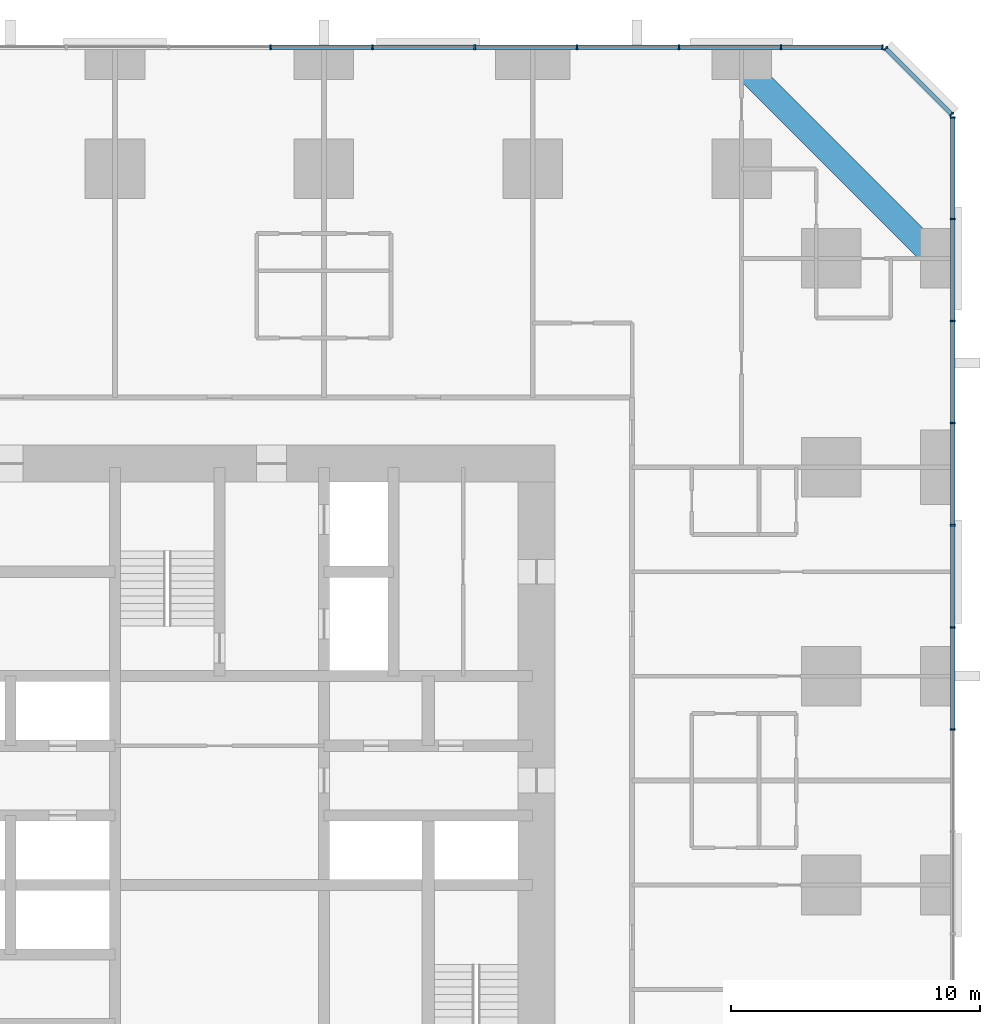
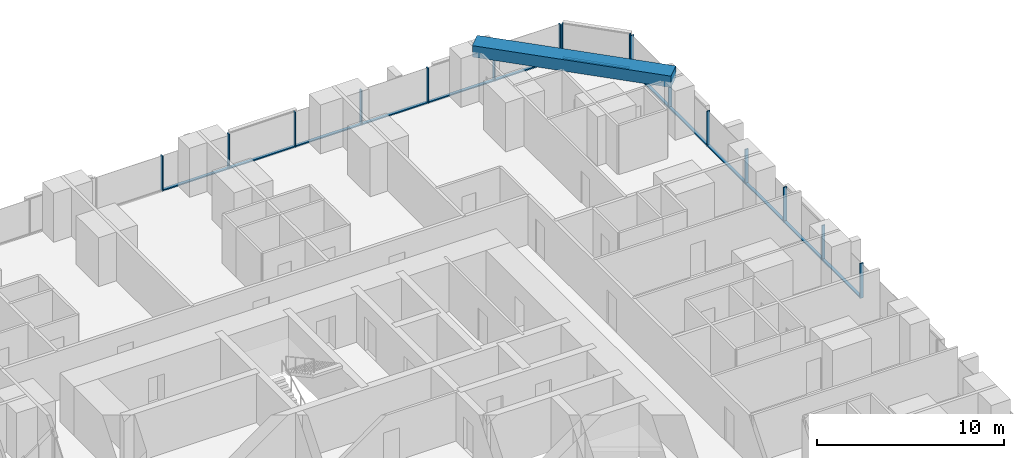
# One storey, part 7 of 16: 29 members, 1 beam, 3 elements without a shape of their own.
"""IFC4 building model written with IfcOpenShell, lengths in metres."""

from ifc_helpers import new_model, si_unit, direction, frame, origin, origin_2d, place, context, subcontext, project, spatial, rectangle, extrude, material, material_profile, profile_set, type_object, element, aggregate, save


model = new_model("IFC4")

# Units and contexts
model_context = context("Model", 3, precision=1e-05, world=origin(), true_north=direction((0.0, 1.0)))
body_context = subcontext(model_context, "Body", "Model", "MODEL_VIEW")
ifc_project = project(units=[si_unit("LENGTHUNIT", "METRE"), si_unit("AREAUNIT", "SQUARE_METRE"), si_unit("VOLUMEUNIT", "CUBIC_METRE"), si_unit("PLANEANGLEUNIT", "RADIAN"), si_unit("MASSUNIT", "GRAM", prefix="KILO")], contexts=[model_context])

# Site, building, storey
site_placement = place(None, origin())
site = spatial("IfcSite", under=ifc_project, at=site_placement, CompositionType="ELEMENT")
building_placement = place(site_placement, origin())
building = spatial("IfcBuilding", under=site, at=building_placement, Name="Dunama Terrace Hotel", CompositionType="ELEMENT")
storey_placement = place(building_placement, frame((0.0, 0.0, 84.60009765625)))
storey = spatial("IfcBuildingStorey", under=building, at=storey_placement, Name="L21", CompositionType="ELEMENT", Elevation=84.60009765625)

# Curtain wall, members
ifc_material_1 = material(Name="Aluminium curtain wall system", Category="aluminium")
curtain_wall_type = type_object("IfcCurtainWallType", Name="Unitised fritted glass wall CW-A", PredefinedType="NOTDEFINED", material=ifc_material_1)
curtain_wall_1_placement = place(storey_placement, origin())
curtain_wall_1 = element("IfcCurtainWall", 1, at=curtain_wall_1_placement, inside=storey, type_object=curtain_wall_type, Name="Unitised fritted glass wall CW-A L21", PredefinedType="NOTDEFINED")
ifc_material_2 = material(Name="Aluminium mullion", Category="aluminium")
ifc_material_profile_1 = material_profile(ifc_material_2, rectangle(XDim=0.06494140625, YDim=0.199951171875, at=origin_2d()), Name="CWA MULLION 65X200")
ifc_profile_set_1 = profile_set([ifc_material_profile_1], Name="Aluminium mullion")
member_type_1 = type_object("IfcMemberType", Name="CWA mullion 65x200", PredefinedType="MULLION", material=ifc_profile_set_1)
member_1_placement = place(storey_placement, frame((58.89990234375, 31.4541015625, 0.0), z_axis=(0.0, 0.0, 1.0), x_axis=(0.0, 1.0, 0.0)))
member_1 = element("IfcMember", 2, at=member_1_placement, type_object=member_type_1, Name="CWA mullion", PredefinedType="MULLION", context=body_context, shape_type="SweptSolid", body=[
    extrude(rectangle(XDim=0.06494140625, YDim=0.199951171875, at=origin_2d()), origin(), (0.0, 0.0, 1.0), 2.27880859375),
])
member_2_placement = place(storey_placement, frame((58.89990234375, 35.56201171875, 0.0), z_axis=(0.0, 0.0, 1.0), x_axis=(0.0, 1.0, 0.0)))
member_2 = element("IfcMember", 3, at=member_2_placement, type_object=member_type_1, Name="CWA mullion", PredefinedType="MULLION", context=body_context, shape_type="SweptSolid", body=[
    extrude(rectangle(XDim=0.06494140625, YDim=0.199951171875, at=origin_2d()), origin(), (0.0, 0.0, 1.0), 2.27880859375),
])
member_3_placement = place(storey_placement, frame((58.89990234375, 39.6689453125, 0.0), z_axis=(0.0, 0.0, 1.0), x_axis=(0.0, 1.0, 0.0)))
member_3 = element("IfcMember", 4, at=member_3_placement, type_object=member_type_1, Name="CWA mullion", PredefinedType="MULLION", context=body_context, shape_type="SweptSolid", body=[
    extrude(rectangle(XDim=0.06494140625, YDim=0.199951171875, at=origin_2d()), origin(), (0.0, 0.0, 1.0), 2.27880859375),
])
member_4_placement = place(storey_placement, frame((58.89990234375, 43.777099609375, 0.0), z_axis=(0.0, 0.0, 1.0), x_axis=(0.0, 1.0, 0.0)))
member_4 = element("IfcMember", 5, at=member_4_placement, type_object=member_type_1, Name="CWA mullion", PredefinedType="MULLION", context=body_context, shape_type="SweptSolid", body=[
    extrude(rectangle(XDim=0.06494140625, YDim=0.199951171875, at=origin_2d()), origin(), (0.0, 0.0, 1.0), 2.27880859375),
])
member_5_placement = place(storey_placement, frame((58.89990234375, 47.885009765625, 0.0), z_axis=(0.0, 0.0, 1.0), x_axis=(0.0, 1.0, 0.0)))
member_5 = element("IfcMember", 6, at=member_5_placement, type_object=member_type_1, Name="CWA mullion", PredefinedType="MULLION", context=body_context, shape_type="SweptSolid", body=[
    extrude(rectangle(XDim=0.06494140625, YDim=0.199951171875, at=origin_2d()), origin(), (0.0, 0.0, 1.0), 2.27880859375),
])
member_6_placement = place(storey_placement, frame((58.89990234375, 51.991943359375, 0.0), z_axis=(0.0, 0.0, 1.0), x_axis=(0.0, 1.0, 0.0)))
member_6 = element("IfcMember", 7, at=member_6_placement, type_object=member_type_1, Name="CWA mullion", PredefinedType="MULLION", context=body_context, shape_type="SweptSolid", body=[
    extrude(rectangle(XDim=0.06494140625, YDim=0.199951171875, at=origin_2d()), origin(), (0.0, 0.0, 1.0), 2.27880859375),
])
member_7_placement = place(storey_placement, frame((58.89990234375, 56.06689453125, 0.0), z_axis=(0.0, 0.0, 1.0), x_axis=(0.0, 1.0, 0.0)))
member_7 = element("IfcMember", 8, at=member_7_placement, type_object=member_type_1, Name="CWA mullion", PredefinedType="MULLION", context=body_context, shape_type="SweptSolid", body=[
    extrude(rectangle(XDim=0.06494140625, YDim=0.199951171875, at=origin_2d()), origin(), (0.0, 0.0, 1.0), 2.27880859375),
])

curtain_wall_2_placement = place(storey_placement, origin())
curtain_wall_2 = element("IfcCurtainWall", 9, at=curtain_wall_2_placement, inside=storey, type_object=curtain_wall_type, Name="Unitised fritted glass wall CW-A L21", PredefinedType="NOTDEFINED")
member_8_placement = place(storey_placement, frame((58.847900390625, 56.194091796875, 0.0), z_axis=(0.0, 0.0, 1.0), x_axis=(-0.707106781187, 0.707106781187, 0.0)))
member_8 = element("IfcMember", 10, at=member_8_placement, type_object=member_type_1, Name="CWA mullion", PredefinedType="MULLION", context=body_context, shape_type="SweptSolid", body=[
    extrude(rectangle(XDim=0.06494140625, YDim=0.199951171875, at=origin_2d()), origin(), (0.0, 0.0, 1.0), 2.27880859375),
])
member_9_placement = place(storey_placement, frame((56.194091796875, 58.847900390625, 0.0), z_axis=(0.0, 0.0, 1.0), x_axis=(-0.707106781187, 0.707106781187, 0.0)))
member_9 = element("IfcMember", 11, at=member_9_placement, type_object=member_type_1, Name="CWA mullion", PredefinedType="MULLION", context=body_context, shape_type="SweptSolid", body=[
    extrude(rectangle(XDim=0.06494140625, YDim=0.199951171875, at=origin_2d()), origin(), (0.0, 0.0, 1.0), 2.27880859375),
])

curtain_wall_3_placement = place(storey_placement, origin())
curtain_wall_3 = element("IfcCurtainWall", 12, at=curtain_wall_3_placement, inside=storey, type_object=curtain_wall_type, Name="Unitised fritted glass wall CW-A L21", PredefinedType="NOTDEFINED")
member_10_placement = place(storey_placement, frame((56.06689453125, 58.89990234375, 0.0), z_axis=(0.0, 0.0, 1.0), x_axis=(-1.0, 0.0, 0.0)))
member_10 = element("IfcMember", 13, at=member_10_placement, type_object=member_type_1, Name="CWA mullion", PredefinedType="MULLION", context=body_context, shape_type="SweptSolid", body=[
    extrude(rectangle(XDim=0.06494140625, YDim=0.199951171875, at=origin_2d()), origin(), (0.0, 0.0, 1.0), 2.27880859375),
])
member_11_placement = place(storey_placement, frame((51.991943359375, 58.89990234375, 0.0), z_axis=(0.0, 0.0, 1.0), x_axis=(-1.0, 0.0, 0.0)))
member_11 = element("IfcMember", 14, at=member_11_placement, type_object=member_type_1, Name="CWA mullion", PredefinedType="MULLION", context=body_context, shape_type="SweptSolid", body=[
    extrude(rectangle(XDim=0.06494140625, YDim=0.199951171875, at=origin_2d()), origin(), (0.0, 0.0, 1.0), 2.27880859375),
])
member_12_placement = place(storey_placement, frame((47.885009765625, 58.89990234375, 0.0), z_axis=(0.0, 0.0, 1.0), x_axis=(-1.0, 0.0, 0.0)))
member_12 = element("IfcMember", 15, at=member_12_placement, type_object=member_type_1, Name="CWA mullion", PredefinedType="MULLION", context=body_context, shape_type="SweptSolid", body=[
    extrude(rectangle(XDim=0.06494140625, YDim=0.199951171875, at=origin_2d()), origin(), (0.0, 0.0, 1.0), 2.27880859375),
])
member_13_placement = place(storey_placement, frame((43.777099609375, 58.89990234375, 0.0), z_axis=(0.0, 0.0, 1.0), x_axis=(-1.0, 0.0, 0.0)))
member_13 = element("IfcMember", 16, at=member_13_placement, type_object=member_type_1, Name="CWA mullion", PredefinedType="MULLION", context=body_context, shape_type="SweptSolid", body=[
    extrude(rectangle(XDim=0.06494140625, YDim=0.199951171875, at=origin_2d()), origin(), (0.0, 0.0, 1.0), 2.27880859375),
])
member_14_placement = place(storey_placement, frame((39.6689453125, 58.89990234375, 0.0), z_axis=(0.0, 0.0, 1.0), x_axis=(-1.0, 0.0, 0.0)))
member_14 = element("IfcMember", 17, at=member_14_placement, type_object=member_type_1, Name="CWA mullion", PredefinedType="MULLION", context=body_context, shape_type="SweptSolid", body=[
    extrude(rectangle(XDim=0.06494140625, YDim=0.199951171875, at=origin_2d()), origin(), (0.0, 0.0, 1.0), 2.27880859375),
])
member_15_placement = place(storey_placement, frame((35.56201171875, 58.89990234375, 0.0), z_axis=(0.0, 0.0, 1.0), x_axis=(-1.0, 0.0, 0.0)))
member_15 = element("IfcMember", 18, at=member_15_placement, type_object=member_type_1, Name="CWA mullion", PredefinedType="MULLION", context=body_context, shape_type="SweptSolid", body=[
    extrude(rectangle(XDim=0.06494140625, YDim=0.199951171875, at=origin_2d()), origin(), (0.0, 0.0, 1.0), 2.27880859375),
])
member_16_placement = place(storey_placement, frame((31.4541015625, 58.89990234375, 0.0), z_axis=(0.0, 0.0, 1.0), x_axis=(-1.0, 0.0, 0.0)))
member_16 = element("IfcMember", 19, at=member_16_placement, type_object=member_type_1, Name="CWA mullion", PredefinedType="MULLION", context=body_context, shape_type="SweptSolid", body=[
    extrude(rectangle(XDim=0.06494140625, YDim=0.199951171875, at=origin_2d()), origin(), (0.0, 0.0, 1.0), 2.27880859375),
])

# Member
ifc_material_3 = material(Name="Aluminium transom", Category="aluminium")
ifc_material_profile_2 = material_profile(ifc_material_3, rectangle(XDim=0.179931640625, YDim=0.074951171875, at=origin_2d()), Name="CWA TRANSOM 180X75")
ifc_profile_set_2 = profile_set([ifc_material_profile_2], Name="Aluminium transom")
member_type_2 = type_object("IfcMemberType", Name="CWA transom 180x75", PredefinedType="USERDEFINED", material=ifc_profile_set_2)
member_17_placement = place(storey_placement, frame((58.89990234375, 31.486083984375, 0.037353515625), z_axis=(0.0, 1.0, 0.0), x_axis=(-1.0, 0.0, 0.0)))
member_17 = element("IfcMember", 20, at=member_17_placement, type_object=member_type_2, Name="CWA transom", ObjectType="TRANSOM", PredefinedType="USERDEFINED", context=body_context, shape_type="SweptSolid", body=[
    extrude(rectangle(XDim=0.179931640625, YDim=0.074951171875, at=origin_2d()), origin(), (0.0, 0.0, 1.0), 4.04296875),
])

member_18_placement = place(storey_placement, frame((58.89990234375, 35.593994140625, 0.037353515625), z_axis=(0.0, 1.0, 0.0), x_axis=(-1.0, 0.0, 0.0)))
member_18 = element("IfcMember", 21, at=member_18_placement, type_object=member_type_2, Name="CWA transom", ObjectType="TRANSOM", PredefinedType="USERDEFINED", context=body_context, shape_type="SweptSolid", body=[
    extrude(rectangle(XDim=0.179931640625, YDim=0.074951171875, at=origin_2d()), origin(), (0.0, 0.0, 1.0), 4.04296875),
])

member_19_placement = place(storey_placement, frame((58.89990234375, 39.701904296875, 0.037353515625), z_axis=(0.0, 1.0, 0.0), x_axis=(-1.0, 0.0, 0.0)))
member_19 = element("IfcMember", 22, at=member_19_placement, type_object=member_type_2, Name="CWA transom", ObjectType="TRANSOM", PredefinedType="USERDEFINED", context=body_context, shape_type="SweptSolid", body=[
    extrude(rectangle(XDim=0.179931640625, YDim=0.074951171875, at=origin_2d()), origin(), (0.0, 0.0, 1.0), 4.0419921875),
])

member_20_placement = place(storey_placement, frame((58.89990234375, 43.80908203125, 0.037353515625), z_axis=(0.0, 1.0, 0.0), x_axis=(-1.0, 0.0, 0.0)))
member_20 = element("IfcMember", 23, at=member_20_placement, type_object=member_type_2, Name="CWA transom", ObjectType="TRANSOM", PredefinedType="USERDEFINED", context=body_context, shape_type="SweptSolid", body=[
    extrude(rectangle(XDim=0.179931640625, YDim=0.074951171875, at=origin_2d()), origin(), (0.0, 0.0, 1.0), 4.04296875),
])

member_21_placement = place(storey_placement, frame((58.89990234375, 47.9169921875, 0.037353515625), z_axis=(0.0, 1.0, 0.0), x_axis=(-1.0, 0.0, 0.0)))
member_21 = element("IfcMember", 24, at=member_21_placement, type_object=member_type_2, Name="CWA transom", ObjectType="TRANSOM", PredefinedType="USERDEFINED", context=body_context, shape_type="SweptSolid", body=[
    extrude(rectangle(XDim=0.179931640625, YDim=0.074951171875, at=origin_2d()), origin(), (0.0, 0.0, 1.0), 4.04296875),
])

member_22_placement = place(storey_placement, frame((58.89990234375, 52.02490234375, 0.037353515625), z_axis=(0.0, 1.0, 0.0), x_axis=(-1.0, 0.0, 0.0)))
member_22 = element("IfcMember", 25, at=member_22_placement, type_object=member_type_2, Name="CWA transom", ObjectType="TRANSOM", PredefinedType="USERDEFINED", context=body_context, shape_type="SweptSolid", body=[
    extrude(rectangle(XDim=0.179931640625, YDim=0.074951171875, at=origin_2d()), origin(), (0.0, 0.0, 1.0), 4.010009765625),
])

aggregate(curtain_wall_1, [member_1, member_2, member_3, member_4, member_5, member_6, member_7, member_17, member_18, member_19, member_20, member_21, member_22])

member_23_placement = place(storey_placement, frame((58.824951171875, 56.217041015625, 0.037353515625), z_axis=(-0.707106781187, 0.707106781187, 0.0), x_axis=(-0.707106781187, -0.707106781187, 0.0)))
member_23 = element("IfcMember", 26, at=member_23_placement, type_object=member_type_2, Name="CWA transom", ObjectType="TRANSOM", PredefinedType="USERDEFINED", context=body_context, shape_type="SweptSolid", body=[
    extrude(rectangle(XDim=0.179931640625, YDim=0.074951171875, at=origin_2d()), origin(), (0.0, 0.0, 1.0), 3.688232421875),
])

aggregate(curtain_wall_2, [member_8, member_9, member_23])

member_24_placement = place(storey_placement, frame((56.034912109375, 58.89990234375, 0.037353515625), z_axis=(-1.0, 0.0, 0.0), x_axis=(0.0, -1.0, 0.0)))
member_24 = element("IfcMember", 27, at=member_24_placement, type_object=member_type_2, Name="CWA transom", ObjectType="TRANSOM", PredefinedType="USERDEFINED", context=body_context, shape_type="SweptSolid", body=[
    extrude(rectangle(XDim=0.179931640625, YDim=0.074951171875, at=origin_2d()), origin(), (0.0, 0.0, 1.0), 4.010009765625),
])

member_25_placement = place(storey_placement, frame((51.9599609375, 58.89990234375, 0.037353515625), z_axis=(-1.0, 0.0, 0.0), x_axis=(0.0, -1.0, 0.0)))
member_25 = element("IfcMember", 28, at=member_25_placement, type_object=member_type_2, Name="CWA transom", ObjectType="TRANSOM", PredefinedType="USERDEFINED", context=body_context, shape_type="SweptSolid", body=[
    extrude(rectangle(XDim=0.179931640625, YDim=0.074951171875, at=origin_2d()), origin(), (0.0, 0.0, 1.0), 4.04296875),
])

member_26_placement = place(storey_placement, frame((47.85205078125, 58.89990234375, 0.037353515625), z_axis=(-1.0, 0.0, 0.0), x_axis=(0.0, -1.0, 0.0)))
member_26 = element("IfcMember", 29, at=member_26_placement, type_object=member_type_2, Name="CWA transom", ObjectType="TRANSOM", PredefinedType="USERDEFINED", context=body_context, shape_type="SweptSolid", body=[
    extrude(rectangle(XDim=0.179931640625, YDim=0.074951171875, at=origin_2d()), origin(), (0.0, 0.0, 1.0), 4.04296875),
])

member_27_placement = place(storey_placement, frame((43.743896484375, 58.89990234375, 0.037353515625), z_axis=(-1.0, 0.0, 0.0), x_axis=(0.0, -1.0, 0.0)))
member_27 = element("IfcMember", 30, at=member_27_placement, type_object=member_type_2, Name="CWA transom", ObjectType="TRANSOM", PredefinedType="USERDEFINED", context=body_context, shape_type="SweptSolid", body=[
    extrude(rectangle(XDim=0.179931640625, YDim=0.074951171875, at=origin_2d()), origin(), (0.0, 0.0, 1.0), 4.0419921875),
])

member_28_placement = place(storey_placement, frame((39.636962890625, 58.89990234375, 0.037353515625), z_axis=(-1.0, 0.0, 0.0), x_axis=(0.0, -1.0, 0.0)))
member_28 = element("IfcMember", 31, at=member_28_placement, type_object=member_type_2, Name="CWA transom", ObjectType="TRANSOM", PredefinedType="USERDEFINED", context=body_context, shape_type="SweptSolid", body=[
    extrude(rectangle(XDim=0.179931640625, YDim=0.074951171875, at=origin_2d()), origin(), (0.0, 0.0, 1.0), 4.04296875),
])

member_29_placement = place(storey_placement, frame((35.529052734375, 58.89990234375, 0.037353515625), z_axis=(-1.0, 0.0, 0.0), x_axis=(0.0, -1.0, 0.0)))
member_29 = element("IfcMember", 32, at=member_29_placement, type_object=member_type_2, Name="CWA transom", ObjectType="TRANSOM", PredefinedType="USERDEFINED", context=body_context, shape_type="SweptSolid", body=[
    extrude(rectangle(XDim=0.179931640625, YDim=0.074951171875, at=origin_2d()), origin(), (0.0, 0.0, 1.0), 4.04296875),
])

aggregate(curtain_wall_3, [member_10, member_11, member_12, member_13, member_14, member_15, member_16, member_24, member_25, member_26, member_27, member_28, member_29])

# Beam
ifc_material_4 = material(Name="Concrete C50/60", Category="concrete")
ifc_material_profile_3 = material_profile(ifc_material_4, rectangle(XDim=1.0, YDim=0.75, at=origin_2d()), Name="RC 1000x750")
ifc_profile_set_3 = profile_set([ifc_material_profile_3], Name="Concrete C50/60")
beam_type = type_object("IfcBeamType", Name="Edge beam RC 1000x750", PredefinedType="SPANDREL", material=ifc_profile_set_3)
beam_placement = place(storey_placement, frame((50.39990234375, 58.199951171875, 3.224853515625), z_axis=(0.707106781187, -0.707106781187, 0.0), x_axis=(0.707106781187, 0.707106781187, 0.0)))
element("IfcBeam", 33, at=beam_placement, inside=storey, type_object=beam_type, Name="Corner edge beam under L22", PredefinedType="SPANDREL", context=body_context, shape_type="SweptSolid", body=[
    extrude(rectangle(XDim=1.0, YDim=0.75, at=origin_2d()), origin(), (0.0, 0.0, 1.0), 11.031005859375),
])

save(model, "model.ifc")
